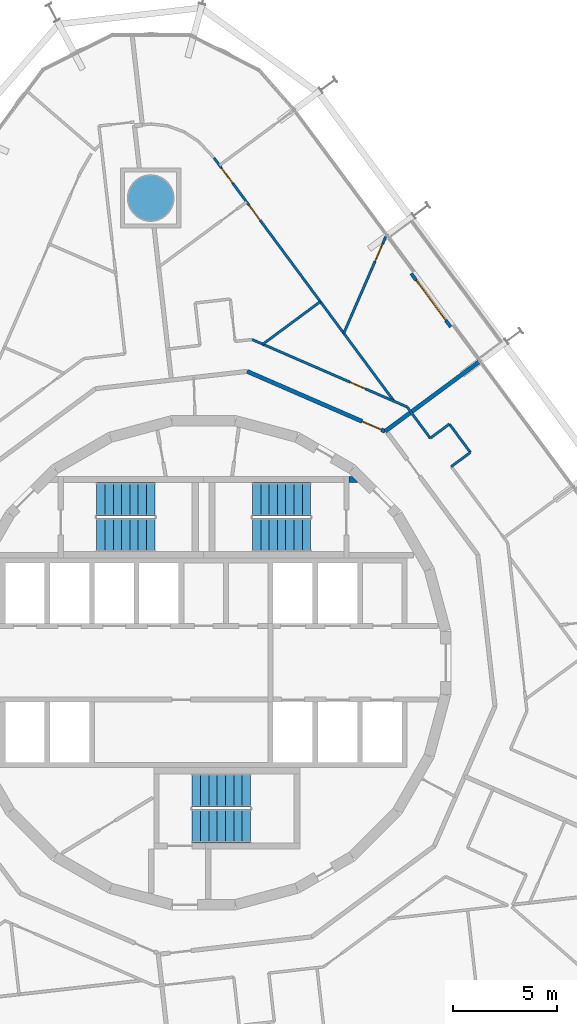
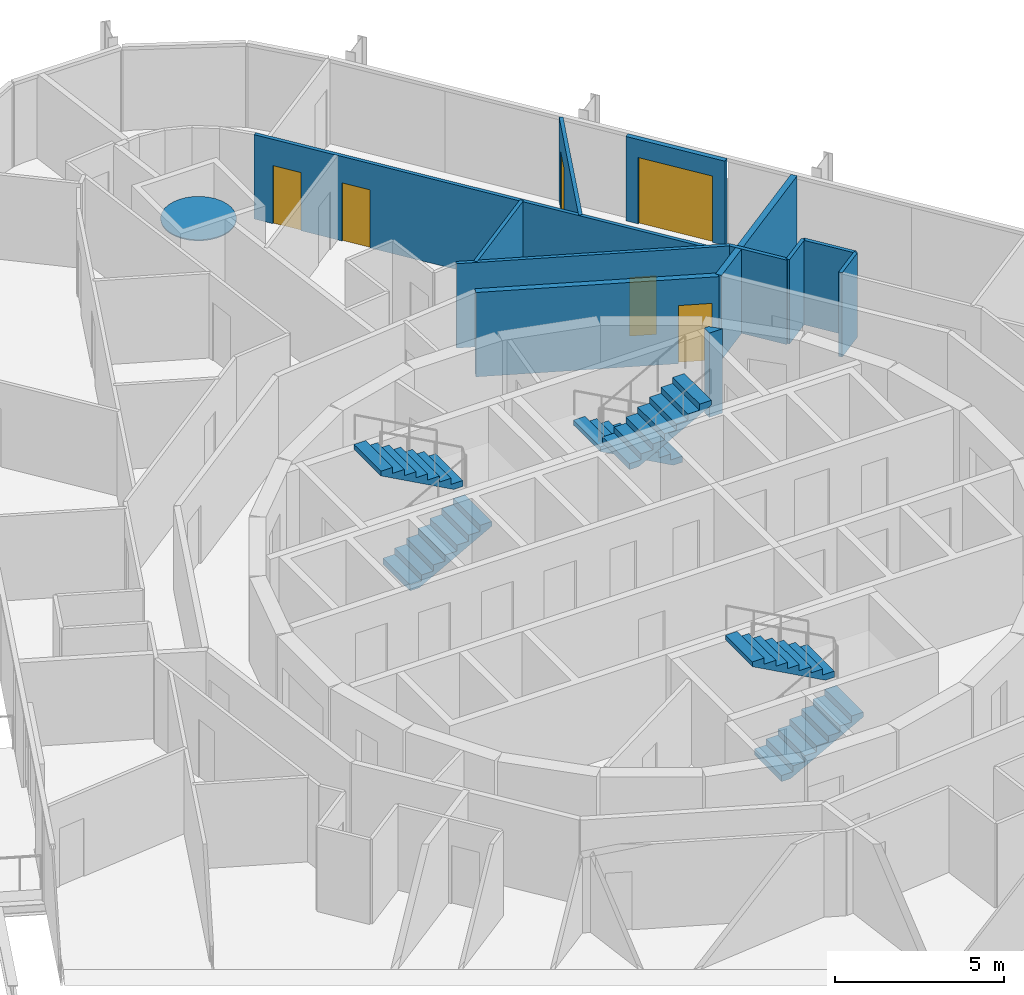
# One storey, part 22 of 23: 12 walls, 6 doors, 6 stair flights, 1 discrete accessory, 6 openings, 3 elements without a shape of their own.
"""IFC4 building model written with IfcOpenShell, lengths in metres."""

from ifc_helpers import new_model, si_unit, direction, frame, frame_2d, origin, place, context, subcontext, project, spatial, polyline, rectangle, outline, extrude, material, layer, layer_set, type_object, element, fill, aggregate, save


model = new_model("IFC4")

# Units and contexts
model_context = context("Model", 3, precision=1e-05, world=origin(), true_north=direction((0.0, 1.0)))
body_context = subcontext(model_context, "Body", "Model", "MODEL_VIEW")
ifc_project = project(units=[si_unit("LENGTHUNIT", "METRE"), si_unit("AREAUNIT", "SQUARE_METRE"), si_unit("VOLUMEUNIT", "CUBIC_METRE"), si_unit("PLANEANGLEUNIT", "RADIAN"), si_unit("MASSUNIT", "GRAM", prefix="KILO")], contexts=[model_context])

# Site, building, storey
site_placement = place(None, origin())
site = spatial("IfcSite", under=ifc_project, at=site_placement, CompositionType="ELEMENT")
building_placement = place(site_placement, origin())
building = spatial("IfcBuilding", under=site, at=building_placement, Name="Spindle Arch Residences", CompositionType="ELEMENT")
storey_placement = place(building_placement, frame((0.0, 0.0, 104.699951171875)))
storey = spatial("IfcBuildingStorey", under=building, at=storey_placement, Name="L25", CompositionType="ELEMENT", Elevation=104.699951171875)

# Wall, opening, door
ifc_material_1 = material(Name="Calcium silicate block, plastered")
ifc_layer_1 = layer(ifc_material_1, 0.199951171875)
ifc_layer_set_1 = layer_set([ifc_layer_1], Name="Corridor wall 200")
wall_type_1 = type_object("IfcWallType", Name="Corridor wall 200", PredefinedType="STANDARD", material=ifc_layer_set_1)
wall_1_placement = place(storey_placement, frame((8.735595703125, 11.140625, 0.0), z_axis=(0.0, 0.0, 1.0), x_axis=(-0.917051290697, 0.398769269416, 0.0)))
wall_1 = element("IfcWall", 1, at=wall_1_placement, inside=storey, type_object=wall_type_1, Name="Corridor wall R2C0-W007", PredefinedType="STANDARD", context=body_context, shape_type="SweptSolid", body=[
    extrude(rectangle(XDim=7.23974609375, YDim=0.199951171875, at=frame_2d((3.619873046875, 0.0))), origin(), (0.0, 0.0, 1.0), 3.050048828125),
])
opening_1_placement = place(wall_1_placement, frame((0.199951171875, 0.0, 0.0)))
opening_1 = element("IfcOpeningElement", 2, at=opening_1_placement, cuts=wall_1, Name="Opening R2C0-FD02", PredefinedType="OPENING", context=body_context, shape_type="SweptSolid", body=[
    extrude(rectangle(XDim=1.0, YDim=2.10009765625, at=frame_2d((0.5, 1.050048828125))), frame((0.0, 0.10986328125, 0.0), z_axis=(0.0, -1.0, 0.0), x_axis=(1.0, 0.0, 0.0)), (0.0, 0.0, 1.0), 0.219970703125),
])
ifc_material_2 = material(Name="Timber, fire-resisting door set", Category="wood")
door_type_1 = type_object("IfcDoorType", Name="Flat entrance door 1000x2100", OperationType="NOTDEFINED", PredefinedType="DOOR", material=ifc_material_2)
door_1_placement = place(opening_1_placement, origin())
door_1 = element("IfcDoor", 3, at=door_1_placement, inside=storey, type_object=door_type_1, Name="Flat entrance door R2C0-FD02", OperationType="SINGLE_SWING_RIGHT", OverallHeight=2.10009765625, OverallWidth=1.0, PredefinedType="DOOR", context=body_context, shape_type="SweptSolid", body=[
    extrude(rectangle(XDim=1.0, YDim=2.10009765625, at=frame_2d((0.5, 1.050048828125))), frame((0.0, 0.02490234375, 0.0), z_axis=(0.0, -1.0, 0.0), x_axis=(1.0, 0.0, 0.0)), (0.0, 0.0, 1.0), 0.050048828125),
])
fill(opening_1, door_1)

# Walls
ifc_material_3 = material(Name="Plasterboard on steel studs", Category="steel")
ifc_layer_2 = layer(ifc_material_3, 0.1201171875)
ifc_layer_set_2 = layer_set([ifc_layer_2], Name="Flat partition 120")
wall_type_2 = type_object("IfcWallType", Name="Flat partition 120", PredefinedType="PARTITIONING", material=ifc_layer_set_2)
wall_2_placement = place(storey_placement, frame((11.9208984375, 9.44384765625, 0.0), z_axis=(0.0, 0.0, 1.0), x_axis=(0.803768532163, 0.594942137274, 0.0)))
element("IfcWall", 4, at=wall_2_placement, inside=storey, type_object=wall_type_2, Name="Flat partition R2C0-W031", PredefinedType="PARTITIONING", context=body_context, shape_type="SweptSolid", body=[
    extrude(rectangle(XDim=1.145751953125, YDim=0.1201171875, at=frame_2d((0.57275390625, 0.0))), origin(), (0.0, 0.0, 1.0), 3.050048828125),
])
wall_3_placement = place(storey_placement, frame((12.841796875, 10.12548828125, 0.0), z_axis=(0.0, 0.0, 1.0), x_axis=(-0.594770612735, 0.803895464738, 0.0)))
element("IfcWall", 5, at=wall_3_placement, inside=storey, type_object=wall_type_2, Name="Flat partition R2C0-W032", PredefinedType="PARTITIONING", context=body_context, shape_type="SweptSolid", body=[
    extrude(rectangle(XDim=1.69970703125, YDim=0.1201171875, at=frame_2d((0.849853515625, 0.0))), origin(), (0.0, 0.0, 1.0), 3.050048828125),
])
wall_4_placement = place(storey_placement, frame((11.830810546875, 11.491943359375, 0.0), z_axis=(0.0, 0.0, 1.0), x_axis=(-0.803843936653, -0.59484025209, 0.0)))
element("IfcWall", 6, at=wall_4_placement, inside=storey, type_object=wall_type_2, Name="Flat partition R2C0-W033", PredefinedType="PARTITIONING", context=body_context, shape_type="SweptSolid", body=[
    extrude(rectangle(XDim=1.14599609375, YDim=0.1201171875, at=frame_2d((0.572998046875, 0.0))), origin(), (0.0, 0.0, 1.0), 3.050048828125),
])
wall_5_placement = place(storey_placement, frame((10.90966796875, 10.810302734375, 0.0), z_axis=(0.0, 0.0, 1.0), x_axis=(-0.59489693125, 0.803801991282, 0.0)))
element("IfcWall", 7, at=wall_5_placement, inside=storey, type_object=wall_type_2, Name="Flat partition R2C0-W034", PredefinedType="PARTITIONING", context=body_context, shape_type="SweptSolid", body=[
    extrude(rectangle(XDim=1.872314453125, YDim=0.1201171875, at=frame_2d((0.93603515625, 0.0))), origin(), (0.0, 0.0, 1.0), 3.050048828125),
])

# Wall, opening, door
wall_6_placement = place(storey_placement, frame((9.7958984375, 12.315185546875, 0.0), z_axis=(0.0, 0.0, 1.0), x_axis=(-0.917059572812, 0.398750222463, 0.0)))
wall_6 = element("IfcWall", 8, at=wall_6_placement, inside=storey, type_object=wall_type_2, Name="Flat partition R2C0-W050", PredefinedType="PARTITIONING", context=body_context, shape_type="SweptSolid", body=[
    extrude(rectangle(XDim=8.1455078125, YDim=0.1201171875, at=frame_2d((4.07275390625, 0.0))), origin(), (0.0, 0.0, 1.0), 3.050048828125),
])
opening_2_placement = place(wall_6_placement, frame((2.184814453125, 0.0, 0.0)))
opening_2 = element("IfcOpeningElement", 9, at=opening_2_placement, cuts=wall_6, Name="Opening R2C0-BD02", PredefinedType="OPENING", context=body_context, shape_type="SweptSolid", body=[
    extrude(rectangle(XDim=0.800048828125, YDim=2.10009765625, at=frame_2d((0.39990234375, 1.050048828125))), frame((0.0, 0.070068359375, 0.0), z_axis=(0.0, -1.0, 0.0), x_axis=(1.0, 0.0, 0.0)), (0.0, 0.0, 1.0), 0.14013671875),
])
ifc_material_4 = material(Name="Timber door set", Category="wood")
door_type_2 = type_object("IfcDoorType", Name="Bathroom door 800x2100", OperationType="NOTDEFINED", PredefinedType="DOOR", material=ifc_material_4)
door_2_placement = place(opening_2_placement, origin())
door_2 = element("IfcDoor", 10, at=door_2_placement, inside=storey, type_object=door_type_2, Name="Bathroom door R2C0-BD02", OperationType="SINGLE_SWING_RIGHT", OverallHeight=2.10009765625, OverallWidth=0.800048828125, PredefinedType="DOOR", context=body_context, shape_type="SweptSolid", body=[
    extrude(rectangle(XDim=0.800048828125, YDim=2.10009765625, at=frame_2d((0.39990234375, 1.050048828125))), frame((0.0, 0.02490234375, 0.0), z_axis=(0.0, -1.0, 0.0), x_axis=(1.0, 0.0, 0.0)), (0.0, 0.0, 1.0), 0.050048828125),
])
fill(opening_2, door_2)

# Wall, openings, doors
wall_7_placement = place(storey_placement, frame((0.49755859375, 24.3056640625, 0.0), z_axis=(0.0, 0.0, 1.0), x_axis=(0.594826122019, -0.803854392639, 0.0)))
wall_7 = element("IfcWall", 11, at=wall_7_placement, inside=storey, type_object=wall_type_2, Name="Flat partition R2C0-W056", PredefinedType="PARTITIONING", context=body_context, shape_type="SweptSolid", body=[
    extrude(rectangle(XDim=14.576416015625, YDim=0.1201171875, at=frame_2d((7.2880859375, 0.0))), origin(), (0.0, 0.0, 1.0), 3.050048828125),
])
opening_3_placement = place(wall_7_placement, frame((2.840576171875, 0.0, 0.0)))
opening_3 = element("IfcOpeningElement", 12, at=opening_3_placement, cuts=wall_7, Name="Opening R2C0-ID09", PredefinedType="OPENING", context=body_context, shape_type="SweptSolid", body=[
    extrude(rectangle(XDim=0.89990234375, YDim=2.10009765625, at=frame_2d((0.449951171875, 1.050048828125))), frame((0.0, 0.070068359375, 0.0), z_axis=(0.0, -1.0, 0.0), x_axis=(1.0, 0.0, 0.0)), (0.0, 0.0, 1.0), 0.14013671875),
])
opening_4_placement = place(wall_7_placement, frame((0.605224609375, 0.0, 0.0)))
opening_4 = element("IfcOpeningElement", 13, at=opening_4_placement, cuts=wall_7, Name="Opening R2C0-ID13", PredefinedType="OPENING", context=body_context, shape_type="SweptSolid", body=[
    extrude(rectangle(XDim=0.89990234375, YDim=2.10009765625, at=frame_2d((0.449951171875, 1.050048828125))), frame((0.0, 0.070068359375, 0.0), z_axis=(0.0, -1.0, 0.0), x_axis=(1.0, 0.0, 0.0)), (0.0, 0.0, 1.0), 0.14013671875),
])
ifc_material_5 = material(Name="Timber door set", Category="wood")
door_type_3 = type_object("IfcDoorType", Name="Room door 900x2100", OperationType="NOTDEFINED", PredefinedType="DOOR", material=ifc_material_5)
door_3_placement = place(opening_3_placement, origin())
door_3 = element("IfcDoor", 14, at=door_3_placement, inside=storey, type_object=door_type_3, Name="Room door R2C0-ID09", OperationType="SINGLE_SWING_RIGHT", OverallHeight=2.10009765625, OverallWidth=0.89990234375, PredefinedType="DOOR", context=body_context, shape_type="SweptSolid", body=[
    extrude(rectangle(XDim=0.89990234375, YDim=2.10009765625, at=frame_2d((0.449951171875, 1.050048828125))), frame((0.0, 0.02490234375, 0.0), z_axis=(0.0, -1.0, 0.0), x_axis=(1.0, 0.0, 0.0)), (0.0, 0.0, 1.0), 0.050048828125),
])
fill(opening_3, door_3)
door_4_placement = place(opening_4_placement, origin())
door_4 = element("IfcDoor", 15, at=door_4_placement, inside=storey, type_object=door_type_3, Name="Room door R2C0-ID13", OperationType="SINGLE_SWING_LEFT", OverallHeight=2.10009765625, OverallWidth=0.89990234375, PredefinedType="DOOR", context=body_context, shape_type="SweptSolid", body=[
    extrude(rectangle(XDim=0.89990234375, YDim=2.10009765625, at=frame_2d((0.449951171875, 1.050048828125))), frame((0.0, 0.02490234375, 0.0), z_axis=(0.0, -1.0, 0.0), x_axis=(1.0, 0.0, 0.0)), (0.0, 0.0, 1.0), 0.050048828125),
])
fill(opening_4, door_4)

# Wall, opening, door
wall_8_placement = place(storey_placement, frame((8.771728515625, 20.52099609375, 0.0), z_axis=(0.0, 0.0, 1.0), x_axis=(-0.398733139635, -0.917067000473, 0.0)))
wall_8 = element("IfcWall", 16, at=wall_8_placement, inside=storey, type_object=wall_type_2, Name="Flat partition R2C0-W057", PredefinedType="PARTITIONING", context=body_context, shape_type="SweptSolid", body=[
    extrude(rectangle(XDim=5.080810546875, YDim=0.1201171875, at=frame_2d((2.54052734375, 0.0))), origin(), (0.0, 0.0, 1.0), 3.050048828125),
])
opening_5_placement = place(wall_8_placement, frame((0.39990234375, 0.0, 0.0)))
opening_5 = element("IfcOpeningElement", 17, at=opening_5_placement, cuts=wall_8, Name="Opening R2C0-ID11", PredefinedType="OPENING", context=body_context, shape_type="SweptSolid", body=[
    extrude(rectangle(XDim=0.89990234375, YDim=2.10009765625, at=frame_2d((0.449951171875, 1.050048828125))), frame((0.0, 0.070068359375, 0.0), z_axis=(0.0, -1.0, 0.0), x_axis=(1.0, 0.0, 0.0)), (0.0, 0.0, 1.0), 0.14013671875),
])
door_5_placement = place(opening_5_placement, origin())
door_5 = element("IfcDoor", 18, at=door_5_placement, inside=storey, type_object=door_type_3, Name="Room door R2C0-ID11", OperationType="SINGLE_SWING_LEFT", OverallHeight=2.10009765625, OverallWidth=0.89990234375, PredefinedType="DOOR", context=body_context, shape_type="SweptSolid", body=[
    extrude(rectangle(XDim=0.89990234375, YDim=2.10009765625, at=frame_2d((0.449951171875, 1.050048828125))), frame((0.0, 0.02490234375, 0.0), z_axis=(0.0, -1.0, 0.0), x_axis=(1.0, 0.0, 0.0)), (0.0, 0.0, 1.0), 0.050048828125),
])
fill(opening_5, door_5)

# Walls
wall_9_placement = place(storey_placement, frame((5.6181640625, 17.3857421875, 0.0), z_axis=(0.0, 0.0, 1.0), x_axis=(-0.803852063114, -0.59482927015, 0.0)))
element("IfcWall", 19, at=wall_9_placement, inside=storey, type_object=wall_type_2, Name="Flat partition R2C0-W058", PredefinedType="PARTITIONING", context=body_context, shape_type="SweptSolid", body=[
    extrude(rectangle(XDim=3.445556640625, YDim=0.1201171875, at=frame_2d((1.72265625, 0.0))), origin(), (0.0, 0.0, 1.0), 3.050048828125),
])
ifc_material_6 = material(Name="Calcium silicate block, plastered")
ifc_layer_3 = layer(ifc_material_6, 0.199951171875)
ifc_layer_set_3 = layer_set([ifc_layer_3], Name="Flat party wall 200")
wall_type_3 = type_object("IfcWallType", Name="Flat party wall 200", PredefinedType="STANDARD", material=ifc_layer_set_3)
wall_10_placement = place(storey_placement, frame((13.244140625, 14.476806640625, 0.0), z_axis=(0.0, 0.0, 1.0), x_axis=(-0.803853971109, -0.594826691677, 0.0)))
element("IfcWall", 20, at=wall_10_placement, inside=storey, type_object=wall_type_3, Name="Flat party wall R2C0-W016", PredefinedType="STANDARD", context=body_context, shape_type="SweptSolid", body=[
    extrude(rectangle(XDim=5.608642578125, YDim=0.199951171875, at=frame_2d((2.80419921875, 0.0))), origin(), (0.0, 0.0, 1.0), 3.050048828125),
])

# Wall, opening, door
ifc_material_7 = material(Name="Non-combustible mineral wool insulated aluminium faced external wall (K0)", Category="aluminium")
ifc_layer_4 = layer(ifc_material_7, 0.159912109375)
ifc_layer_set_4 = layer_set([ifc_layer_4], Name="Insulated external wall panel 160")
wall_type_4 = type_object("IfcWallType", Name="Insulated external wall panel 160", PredefinedType="STANDARD", material=ifc_layer_set_4)
wall_11_placement = place(storey_placement, frame((11.895263671875, 16.1650390625, 0.0), z_axis=(0.0, 0.0, 1.0), x_axis=(-0.594774973163, 0.803892238611, 0.0)))
wall_11 = element("IfcWall", 21, at=wall_11_placement, inside=storey, type_object=wall_type_4, Name="External wall L25 bay 9", PredefinedType="STANDARD", context=body_context, shape_type="SweptSolid", body=[
    extrude(rectangle(XDim=3.199951171875, YDim=0.159912109375, at=frame_2d((1.60009765625, 0.0))), origin(), (0.0, 0.0, 1.0), 3.050048828125),
])
opening_6_placement = place(wall_11_placement, frame((0.39990234375, 0.0, 0.0)))
opening_6 = element("IfcOpeningElement", 22, at=opening_6_placement, cuts=wall_11, Name="Opening BD09", PredefinedType="OPENING", context=body_context, shape_type="SweptSolid", body=[
    extrude(rectangle(XDim=2.39990234375, YDim=2.39990234375, at=frame_2d((1.199951171875, 1.199951171875))), frame((0.0, 0.08984375, 0.0), z_axis=(0.0, -1.0, 0.0), x_axis=(1.0, 0.0, 0.0)), (0.0, 0.0, 1.0), 0.179931640625),
])
ifc_material_8 = material(Name="Bronze aluminium frame, tinted double glazing", Category="aluminium")
door_type_4 = type_object("IfcDoorType", Name="Sliding glazed balcony door 2400x2400", OperationType="DOUBLE_DOOR_SLIDING", PredefinedType="DOOR", material=ifc_material_8)
door_6_placement = place(opening_6_placement, origin())
door_6 = element("IfcDoor", 23, at=door_6_placement, inside=storey, type_object=door_type_4, Name="Balcony door BD09", OperationType="DOUBLE_DOOR_SLIDING", OverallHeight=2.39990234375, OverallWidth=2.39990234375, PredefinedType="DOOR", context=body_context, shape_type="SweptSolid", body=[
    extrude(rectangle(XDim=2.39990234375, YDim=2.39990234375, at=frame_2d((1.199951171875, 1.199951171875))), frame((0.0, 0.02490234375, 0.0), z_axis=(0.0, -1.0, 0.0), x_axis=(1.0, 0.0, 0.0)), (0.0, 0.0, 1.0), 0.050048828125),
])
fill(opening_6, door_6)

# Wall
ifc_material_9 = material(Name="Concrete C40/50", Category="concrete")
wall_type_5 = type_object("IfcWallType", Name="Stair airlock wall profile", PredefinedType="SHEAR", material=ifc_material_9)
wall_12_placement = place(storey_placement, origin())
element("IfcWall", 24, at=wall_12_placement, inside=storey, type_object=wall_type_5, Name="Stair ST-1 airlock wall N", PredefinedType="SHEAR", context=body_context, shape_type="SweptSolid", body=[
    extrude(outline(polyline([(7.4482421875, 8.669921875), (7.0, 8.669921875), (7.0, 8.969970703125), (7.148193359375, 8.969970703125), (7.4482421875, 8.669921875)])), origin(), (0.0, 0.0, 1.0), 3.050048828125),
])

# Stair, stair flights
ifc_material_10 = material(Name="Concrete C50/60", Category="concrete")
stair_type = type_object("IfcStairType", Name="Exit stair 16 risers", PredefinedType="HALF_TURN_STAIR", material=ifc_material_10)
stair_1_placement = place(storey_placement, origin())
stair_1 = element("IfcStair", 25, at=stair_1_placement, inside=storey, type_object=stair_type, Name="L25 Exit stair ST1", PredefinedType="HALF_TURN_STAIR")
ifc_material_11 = material(Name="Concrete C50/60", Category="concrete")
stair_flight_type = type_object("IfcStairFlightType", Name="Exit stair flight", PredefinedType="STRAIGHT", material=ifc_material_11)
stair_flight_1_placement = place(storey_placement, frame((5.14990234375, 7.8701171875, 0.0), z_axis=(0.0, 0.0, 1.0), x_axis=(-1.0, 0.0, 0.0)))
stair_flight_1 = element("IfcStairFlight", 26, at=stair_flight_1_placement, type_object=stair_flight_type, Name="ST1 flight 1", NumberOfRisers=8, NumberOfTreads=7, PredefinedType="STRAIGHT", RiserHeight=0.21875, TreadLength=0.4, context=body_context, shape_type="SweptSolid", body=[
    extrude(outline(polyline([(0.0, 0.0), (0.0, 0.21875), (0.39990234375, 0.21875), (0.39990234375, 0.4375), (0.800048828125, 0.4375), (0.800048828125, 0.65625), (1.199951171875, 0.65625), (1.199951171875, 0.875), (1.60009765625, 0.875), (1.60009765625, 1.09375), (2.0, 1.09375), (2.0, 1.3125), (2.39990234375, 1.3125), (2.39990234375, 1.53125), (2.800048828125, 1.53125), (2.800048828125, 1.75), (2.800048828125, 1.3603515625), (0.3125, 0.0), (0.0, 0.0)])), frame((0.0, 0.800048828125, 0.0), z_axis=(0.0, -1.0, 0.0), x_axis=(1.0, 0.0, 0.0)), (0.0, 0.0, 1.0), 1.60009765625),
])
stair_flight_2_placement = place(storey_placement, frame((2.35009765625, 6.14990234375, 1.75), z_axis=(0.0, 0.0, 1.0), x_axis=(1.0, 0.0, 0.0)))
stair_flight_2 = element("IfcStairFlight", 27, at=stair_flight_2_placement, type_object=stair_flight_type, Name="ST1 flight 2", NumberOfRisers=8, NumberOfTreads=7, PredefinedType="STRAIGHT", RiserHeight=0.21875, TreadLength=0.4, context=body_context, shape_type="SweptSolid", body=[
    extrude(outline(polyline([(0.0, 0.0), (0.0, 0.21875), (0.39990234375, 0.21875), (0.39990234375, 0.4375), (0.800048828125, 0.4375), (0.800048828125, 0.65625), (1.199951171875, 0.65625), (1.199951171875, 0.875), (1.60009765625, 0.875), (1.60009765625, 1.09375), (2.0, 1.09375), (2.0, 1.3125), (2.39990234375, 1.3125), (2.39990234375, 1.53125), (2.800048828125, 1.53125), (2.800048828125, 1.75), (2.800048828125, 1.3603515625), (0.3125, 0.0), (0.0, 0.0)])), frame((0.0, 0.800048828125, 0.0), z_axis=(0.0, -1.0, 0.0), x_axis=(1.0, 0.0, 0.0)), (0.0, 0.0, 1.0), 1.60009765625),
])
aggregate(stair_1, [stair_flight_1, stair_flight_2])

stair_2_placement = place(storey_placement, origin())
stair_2 = element("IfcStair", 28, at=stair_2_placement, inside=storey, type_object=stair_type, Name="L25 Exit stair ST2", PredefinedType="HALF_TURN_STAIR")
stair_flight_3_placement = place(storey_placement, frame((-5.14990234375, 6.14990234375, 0.0), z_axis=(0.0, 0.0, 1.0), x_axis=(1.0, 0.0, 0.0)))
stair_flight_3 = element("IfcStairFlight", 29, at=stair_flight_3_placement, type_object=stair_flight_type, Name="ST2 flight 1", NumberOfRisers=8, NumberOfTreads=7, PredefinedType="STRAIGHT", RiserHeight=0.21875, TreadLength=0.4, context=body_context, shape_type="SweptSolid", body=[
    extrude(outline(polyline([(0.0, 0.0), (0.0, 0.21875), (0.39990234375, 0.21875), (0.39990234375, 0.4375), (0.800048828125, 0.4375), (0.800048828125, 0.65625), (1.199951171875, 0.65625), (1.199951171875, 0.875), (1.60009765625, 0.875), (1.60009765625, 1.09375), (2.0, 1.09375), (2.0, 1.3125), (2.39990234375, 1.3125), (2.39990234375, 1.53125), (2.800048828125, 1.53125), (2.800048828125, 1.75), (2.800048828125, 1.3603515625), (0.3125, 0.0), (0.0, 0.0)])), frame((0.0, 0.800048828125, 0.0), z_axis=(0.0, -1.0, 0.0), x_axis=(1.0, 0.0, 0.0)), (0.0, 0.0, 1.0), 1.60009765625),
])
stair_flight_4_placement = place(storey_placement, frame((-2.35009765625, 7.8701171875, 1.75), z_axis=(0.0, 0.0, 1.0), x_axis=(-1.0, 0.0, 0.0)))
stair_flight_4 = element("IfcStairFlight", 30, at=stair_flight_4_placement, type_object=stair_flight_type, Name="ST2 flight 2", NumberOfRisers=8, NumberOfTreads=7, PredefinedType="STRAIGHT", RiserHeight=0.21875, TreadLength=0.4, context=body_context, shape_type="SweptSolid", body=[
    extrude(outline(polyline([(0.0, 0.0), (0.0, 0.21875), (0.39990234375, 0.21875), (0.39990234375, 0.4375), (0.800048828125, 0.4375), (0.800048828125, 0.65625), (1.199951171875, 0.65625), (1.199951171875, 0.875), (1.60009765625, 0.875), (1.60009765625, 1.09375), (2.0, 1.09375), (2.0, 1.3125), (2.39990234375, 1.3125), (2.39990234375, 1.53125), (2.800048828125, 1.53125), (2.800048828125, 1.75), (2.800048828125, 1.3603515625), (0.3125, 0.0), (0.0, 0.0)])), frame((0.0, 0.800048828125, 0.0), z_axis=(0.0, -1.0, 0.0), x_axis=(1.0, 0.0, 0.0)), (0.0, 0.0, 1.0), 1.60009765625),
])
aggregate(stair_2, [stair_flight_3, stair_flight_4])

stair_3_placement = place(storey_placement, origin())
stair_3 = element("IfcStair", 31, at=stair_3_placement, inside=storey, type_object=stair_type, Name="L25 Exit stair ST3", PredefinedType="HALF_TURN_STAIR")
stair_flight_5_placement = place(storey_placement, frame((-0.550048828125, -7.8701171875, 0.0), z_axis=(0.0, 0.0, 1.0), x_axis=(1.0, 0.0, 0.0)))
stair_flight_5 = element("IfcStairFlight", 32, at=stair_flight_5_placement, type_object=stair_flight_type, Name="ST3 flight 1", NumberOfRisers=8, NumberOfTreads=7, PredefinedType="STRAIGHT", RiserHeight=0.21875, TreadLength=0.4, context=body_context, shape_type="SweptSolid", body=[
    extrude(outline(polyline([(0.0, 0.0), (0.0, 0.21875), (0.39990234375, 0.21875), (0.39990234375, 0.4375), (0.800048828125, 0.4375), (0.800048828125, 0.65625), (1.199951171875, 0.65625), (1.199951171875, 0.875), (1.60009765625, 0.875), (1.60009765625, 1.09375), (2.0, 1.09375), (2.0, 1.3125), (2.39990234375, 1.3125), (2.39990234375, 1.53125), (2.800048828125, 1.53125), (2.800048828125, 1.75), (2.800048828125, 1.3603515625), (0.3125, 0.0), (0.0, 0.0)])), frame((0.0, 0.800048828125, 0.0), z_axis=(0.0, -1.0, 0.0), x_axis=(1.0, 0.0, 0.0)), (0.0, 0.0, 1.0), 1.60009765625),
])
stair_flight_6_placement = place(storey_placement, frame((2.25, -6.14990234375, 1.75), z_axis=(0.0, 0.0, 1.0), x_axis=(-1.0, 0.0, 0.0)))
stair_flight_6 = element("IfcStairFlight", 33, at=stair_flight_6_placement, type_object=stair_flight_type, Name="ST3 flight 2", NumberOfRisers=8, NumberOfTreads=7, PredefinedType="STRAIGHT", RiserHeight=0.21875, TreadLength=0.4, context=body_context, shape_type="SweptSolid", body=[
    extrude(outline(polyline([(0.0, 0.0), (0.0, 0.21875), (0.39990234375, 0.21875), (0.39990234375, 0.4375), (0.800048828125, 0.4375), (0.800048828125, 0.65625), (1.199951171875, 0.65625), (1.199951171875, 0.875), (1.60009765625, 0.875), (1.60009765625, 1.09375), (2.0, 1.09375), (2.0, 1.3125), (2.39990234375, 1.3125), (2.39990234375, 1.53125), (2.800048828125, 1.53125), (2.800048828125, 1.75), (2.800048828125, 1.3603515625), (0.3125, 0.0), (0.0, 0.0)])), frame((0.0, 0.800048828125, 0.0), z_axis=(0.0, -1.0, 0.0), x_axis=(1.0, 0.0, 0.0)), (0.0, 0.0, 1.0), 1.60009765625),
])
aggregate(stair_3, [stair_flight_5, stair_flight_6])

# Discrete accessory
ifc_material_12 = material(Name="Steel S460ML, intumescent coating R 240", Category="steel")
ifc_layer_5 = layer(ifc_material_12, 0.0400390625)
ifc_layer_set_5 = layer_set([ifc_layer_5], Name="End cap plate 40")
discrete_accessory_type = type_object("IfcDiscreteAccessoryType", Name="End cap plate 40", PredefinedType="BRACKET", material=ifc_layer_set_5)
discrete_accessory_placement = place(storey_placement, frame((0.0, 0.0, 2.196044921875)))
element("IfcDiscreteAccessory", 34, at=discrete_accessory_placement, inside=storey, type_object=discrete_accessory_type, Name="End cap Mega-column 2", PredefinedType="BRACKET", context=body_context, shape_type="SweptSolid", body=[
    extrude(outline(polyline([(-1.423828125, 22.370361328125), (-1.4453125, 22.58984375), (-1.509521484375, 22.80078125), (-1.61328125, 22.995361328125), (-1.75341796875, 23.165771484375), (-1.923828125, 23.3056640625), (-2.118408203125, 23.40966796875), (-2.329345703125, 23.4736328125), (-2.548828125, 23.495361328125), (-2.768310546875, 23.4736328125), (-2.979248046875, 23.40966796875), (-3.173828125, 23.3056640625), (-3.34423828125, 23.165771484375), (-3.484130859375, 22.995361328125), (-3.588134765625, 22.80078125), (-3.652099609375, 22.58984375), (-3.673828125, 22.370361328125), (-3.652099609375, 22.15087890625), (-3.588134765625, 21.939697265625), (-3.484130859375, 21.745361328125), (-3.34423828125, 21.57470703125), (-3.173828125, 21.434814453125), (-2.979248046875, 21.330810546875), (-2.768310546875, 21.266845703125), (-2.548828125, 21.245361328125), (-2.329345703125, 21.266845703125), (-2.118408203125, 21.330810546875), (-1.923828125, 21.434814453125), (-1.75341796875, 21.57470703125), (-1.61328125, 21.745361328125), (-1.509521484375, 21.939697265625), (-1.4453125, 22.15087890625), (-1.423828125, 22.370361328125)])), origin(), (0.0, 0.0, 1.0), 0.0400390625),
])

save(model, "model.ifc")
